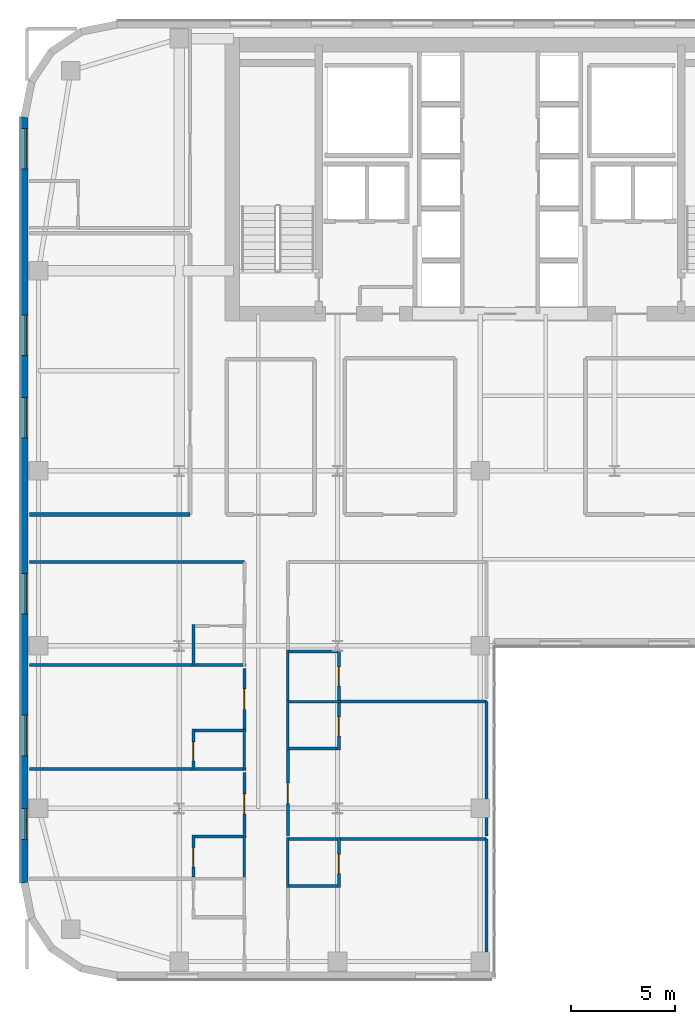
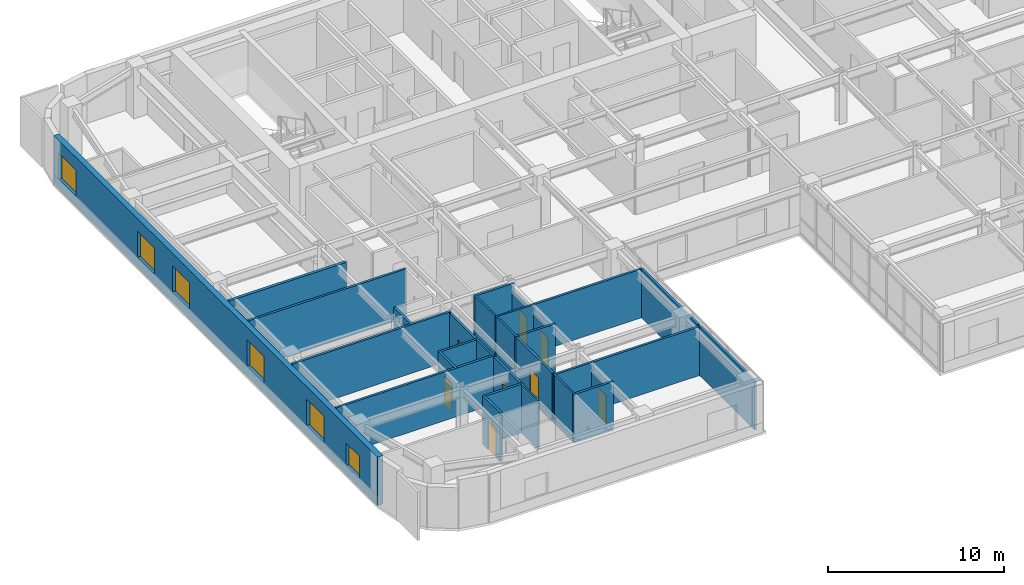
# One storey, part 14 of 25: 30 walls, 8 doors, 6 windows, 14 openings.
"""IFC4 building model written with IfcOpenShell, lengths in metres."""

from ifc_helpers import new_model, si_unit, direction, frame, frame_2d, origin, place, context, subcontext, project, spatial, rectangle, extrude, source, transform, mapped, material, layer, layer_set, type_object, type_shapes, element, fill, save


model = new_model("IFC4")

# Units and contexts
model_context = context("Model", 3, precision=1e-05, world=origin(), true_north=direction((0.0, 1.0)))
body_context = subcontext(model_context, "Body", "Model", "MODEL_VIEW")
ifc_project = project(units=[si_unit("LENGTHUNIT", "METRE"), si_unit("AREAUNIT", "SQUARE_METRE"), si_unit("VOLUMEUNIT", "CUBIC_METRE"), si_unit("PLANEANGLEUNIT", "RADIAN"), si_unit("MASSUNIT", "GRAM", prefix="KILO")], contexts=[model_context])

# Site, building, storey
site_placement = place(None, origin())
site = spatial("IfcSite", under=ifc_project, at=site_placement, CompositionType="ELEMENT")
building_placement = place(site_placement, origin())
building = spatial("IfcBuilding", under=site, at=building_placement, Name="Tolvann Quenvar Hotel", CompositionType="ELEMENT")
storey_placement = place(building_placement, frame((0.0, 0.0, 132.85009765625)))
storey = spatial("IfcBuildingStorey", under=building, at=storey_placement, Name="L34", CompositionType="ELEMENT", Elevation=132.85009765625)

# Wall, openings, windows
ifc_material_1 = material(Name="Kiln-fired red and buff architectural clay brickwork and terracotta masonry", Category="masonry")
ifc_layer_1 = layer(ifc_material_1, 0.35009765625)
ifc_layer_set_1 = layer_set([ifc_layer_1], Name="Kiln-fired red and buff architectural clay brickwork and terracotta masonry")
wall_type_1 = type_object("IfcWallType", Name="WALL_EXT_BRICK_350", PredefinedType="SOLIDWALL", material=ifc_layer_set_1)
wall_1_placement = place(storey_placement, frame((0.175048828125, 41.3828125, 0.0), z_axis=(0.0, 0.0, 1.0), x_axis=(0.0, -1.0, 0.0)))
wall_1 = element("IfcWall", 1, at=wall_1_placement, inside=storey, type_object=wall_type_1, Name="Exterior Chicago Brick Wall L34-E23", PredefinedType="SOLIDWALL", context=body_context, shape_type="SweptSolid", body=[
    extrude(rectangle(XDim=36.765625, YDim=0.35009765625, at=frame_2d((18.3828125, 0.0))), origin(), (0.0, 0.0, 1.0), 3.369873046875),
])
opening_1_placement = place(wall_1_placement, frame((0.551025390625, 0.0, 0.679931640625)))
opening_1 = element("IfcOpeningElement", 2, at=opening_1_placement, cuts=wall_1, Name="Opening W-10", PredefinedType="OPENING", context=body_context, shape_type="SweptSolid", body=[
    extrude(rectangle(XDim=1.949951171875, YDim=1.820068359375, at=frame_2d((0.97509765625, 0.91015625))), frame((0.0, 0.18505859375, 0.0), z_axis=(0.0, -1.0, 0.0), x_axis=(1.0, 0.0, 0.0)), (0.0, 0.0, 1.0), 0.3701171875),
])
opening_2_placement = place(wall_1_placement, frame((9.50390625, 0.0, 0.679931640625)))
opening_2 = element("IfcOpeningElement", 3, at=opening_2_placement, cuts=wall_1, Name="Opening W-10", PredefinedType="OPENING", context=body_context, shape_type="SweptSolid", body=[
    extrude(rectangle(XDim=1.949951171875, YDim=1.820068359375, at=frame_2d((0.97509765625, 0.91015625))), frame((0.0, 0.18505859375, 0.0), z_axis=(0.0, -1.0, 0.0), x_axis=(1.0, 0.0, 0.0)), (0.0, 0.0, 1.0), 0.3701171875),
])
opening_3_placement = place(wall_1_placement, frame((13.4560546875, 0.0, 0.679931640625)))
opening_3 = element("IfcOpeningElement", 4, at=opening_3_placement, cuts=wall_1, Name="Opening W-10", PredefinedType="OPENING", context=body_context, shape_type="SweptSolid", body=[
    extrude(rectangle(XDim=1.949951171875, YDim=1.820068359375, at=frame_2d((0.97509765625, 0.91015625))), frame((0.0, 0.18505859375, 0.0), z_axis=(0.0, -1.0, 0.0), x_axis=(1.0, 0.0, 0.0)), (0.0, 0.0, 1.0), 0.3701171875),
])
opening_4_placement = place(wall_1_placement, frame((21.909912109375, 0.0, 0.679931640625)))
opening_4 = element("IfcOpeningElement", 5, at=opening_4_placement, cuts=wall_1, Name="Opening W-10", PredefinedType="OPENING", context=body_context, shape_type="SweptSolid", body=[
    extrude(rectangle(XDim=1.949951171875, YDim=1.820068359375, at=frame_2d((0.97509765625, 0.91015625))), frame((0.0, 0.18505859375, 0.0), z_axis=(0.0, -1.0, 0.0), x_axis=(1.0, 0.0, 0.0)), (0.0, 0.0, 1.0), 0.3701171875),
])
opening_5_placement = place(wall_1_placement, frame((28.712890625, 0.0, 0.679931640625)))
opening_5 = element("IfcOpeningElement", 6, at=opening_5_placement, cuts=wall_1, Name="Opening W-10", PredefinedType="OPENING", context=body_context, shape_type="SweptSolid", body=[
    extrude(rectangle(XDim=1.949951171875, YDim=1.820068359375, at=frame_2d((0.97509765625, 0.91015625))), frame((0.0, 0.18505859375, 0.0), z_axis=(0.0, -1.0, 0.0), x_axis=(1.0, 0.0, 0.0)), (0.0, 0.0, 1.0), 0.3701171875),
])
opening_6_placement = place(wall_1_placement, frame((33.18310546875, 0.0, 0.6201171875)))
opening_6 = element("IfcOpeningElement", 7, at=opening_6_placement, cuts=wall_1, Name="Opening W-08", PredefinedType="OPENING", context=body_context, shape_type="SweptSolid", body=[
    extrude(rectangle(XDim=1.5, YDim=1.550048828125, at=frame_2d((0.75, 0.77490234375))), frame((0.0, 0.18505859375, 0.0), z_axis=(0.0, -1.0, 0.0), x_axis=(1.0, 0.0, 0.0)), (0.0, 0.0, 1.0), 0.3701171875),
])
ifc_material_2 = material(Name="Thermally broken bronze-anodised aluminium frame with double low-E glazing", Category="aluminium")
window_type_1 = type_object("IfcWindowType", Name="WIN_COR_1500x2050", PartitioningType="SINGLE_PANEL", PredefinedType="WINDOW", material=ifc_material_2)
shared_shape_1 = source(origin(), body_context, "Body", "SweptSolid", [
    extrude(rectangle(XDim=1.5, YDim=1.550048828125, at=frame_2d((0.75, 0.77490234375))), frame((0.0, 0.090087890625, 0.0), z_axis=(0.0, -1.0, 0.0), x_axis=(1.0, 0.0, 0.0)), (0.0, 0.0, 1.0), 0.06005859375),
])
type_shapes(window_type_1, [shared_shape_1])
window_1_placement = place(opening_6_placement, origin())
window_1 = element("IfcWindow", 8, at=window_1_placement, inside=storey, type_object=window_type_1, Name="Chicago Window W-08 (EW-L34-E23-WD06)", OverallHeight=1.550048828125, OverallWidth=1.5, PartitioningType="SINGLE_PANEL", PredefinedType="WINDOW", context=body_context, shape_type="MappedRepresentation", body=[
    mapped(shared_shape_1, transform((0.0, 0.0, 0.0), x_axis=(1.0, 0.0, 0.0), y_axis=(0.0, 1.0, 0.0), z_axis=(0.0, 0.0, 1.0), scale=1.0)),
])
fill(opening_6, window_1)
window_type_2 = type_object("IfcWindowType", Name="WIN_CLB_1950x1850", PartitioningType="DOUBLE_PANEL_VERTICAL", PredefinedType="WINDOW", material=ifc_material_2)
shared_shape_2 = source(origin(), body_context, "Body", "SweptSolid", [
    extrude(rectangle(XDim=1.949951171875, YDim=1.820068359375, at=frame_2d((0.97509765625, 0.91015625))), frame((0.0, 0.090087890625, 0.0), z_axis=(0.0, -1.0, 0.0), x_axis=(1.0, 0.0, 0.0)), (0.0, 0.0, 1.0), 0.06005859375),
])
type_shapes(window_type_2, [shared_shape_2])
window_2_placement = place(opening_1_placement, origin())
window_2 = element("IfcWindow", 9, at=window_2_placement, inside=storey, type_object=window_type_2, Name="Chicago Window W-10 (EW-L34-E23-W01)", OverallHeight=1.820068359375, OverallWidth=1.949951171875, PartitioningType="DOUBLE_PANEL_VERTICAL", PredefinedType="WINDOW", context=body_context, shape_type="MappedRepresentation", body=[
    mapped(shared_shape_2, transform((0.0, 0.0, 0.0), x_axis=(1.0, 0.0, 0.0), y_axis=(0.0, 1.0, 0.0), z_axis=(0.0, 0.0, 1.0), scale=1.0)),
])
fill(opening_1, window_2)
window_3_placement = place(opening_2_placement, origin())
window_3 = element("IfcWindow", 10, at=window_3_placement, inside=storey, type_object=window_type_2, Name="Chicago Window W-10 (EW-L34-E23-W02)", OverallHeight=1.820068359375, OverallWidth=1.949951171875, PartitioningType="DOUBLE_PANEL_VERTICAL", PredefinedType="WINDOW", context=body_context, shape_type="MappedRepresentation", body=[
    mapped(shared_shape_2, transform((0.0, 0.0, 0.0), x_axis=(1.0, 0.0, 0.0), y_axis=(0.0, 1.0, 0.0), z_axis=(0.0, 0.0, 1.0), scale=1.0)),
])
fill(opening_2, window_3)
window_4_placement = place(opening_3_placement, origin())
window_4 = element("IfcWindow", 11, at=window_4_placement, inside=storey, type_object=window_type_2, Name="Chicago Window W-10 (EW-L34-E23-W03)", OverallHeight=1.820068359375, OverallWidth=1.949951171875, PartitioningType="DOUBLE_PANEL_VERTICAL", PredefinedType="WINDOW", context=body_context, shape_type="MappedRepresentation", body=[
    mapped(shared_shape_2, transform((0.0, 0.0, 0.0), x_axis=(1.0, 0.0, 0.0), y_axis=(0.0, 1.0, 0.0), z_axis=(0.0, 0.0, 1.0), scale=1.0)),
])
fill(opening_3, window_4)
window_5_placement = place(opening_4_placement, origin())
window_5 = element("IfcWindow", 12, at=window_5_placement, inside=storey, type_object=window_type_2, Name="Chicago Window W-10 (EW-L34-E23-W04)", OverallHeight=1.820068359375, OverallWidth=1.949951171875, PartitioningType="DOUBLE_PANEL_VERTICAL", PredefinedType="WINDOW", context=body_context, shape_type="MappedRepresentation", body=[
    mapped(shared_shape_2, transform((0.0, 0.0, 0.0), x_axis=(1.0, 0.0, 0.0), y_axis=(0.0, 1.0, 0.0), z_axis=(0.0, 0.0, 1.0), scale=1.0)),
])
fill(opening_4, window_5)
window_6_placement = place(opening_5_placement, origin())
window_6 = element("IfcWindow", 13, at=window_6_placement, inside=storey, type_object=window_type_2, Name="Chicago Window W-10 (EW-L34-E23-W05)", OverallHeight=1.820068359375, OverallWidth=1.949951171875, PartitioningType="DOUBLE_PANEL_VERTICAL", PredefinedType="WINDOW", context=body_context, shape_type="MappedRepresentation", body=[
    mapped(shared_shape_2, transform((0.0, 0.0, 0.0), x_axis=(1.0, 0.0, 0.0), y_axis=(0.0, 1.0, 0.0), z_axis=(0.0, 0.0, 1.0), scale=1.0)),
])
fill(opening_5, window_6)

# Walls
ifc_material_3 = material(Name="Acoustic twin-stud fire-rated gypsum plasterboard partition")
ifc_layer_2 = layer(ifc_material_3, 0.179931640625)
ifc_layer_set_2 = layer_set([ifc_layer_2], Name="Acoustic twin-stud fire-rated gypsum plasterboard partition")
wall_type_2 = type_object("IfcWallType", Name="WALL_PART_ACOUSTIC_180", PredefinedType="PARTITIONING", material=ifc_layer_set_2)
wall_2_placement = place(storey_placement, frame((0.405029296875, 22.300048828125, 0.0), z_axis=(0.0, 0.0, 1.0), x_axis=(1.0, 0.0, 0.0)))
element("IfcWall", 14, at=wall_2_placement, inside=storey, type_object=wall_type_2, Name="Interior Partition PT-SPC-L34-SAL-S", PredefinedType="PARTITIONING", context=body_context, shape_type="SweptSolid", body=[
    extrude(rectangle(XDim=7.715087890625, YDim=0.179931640625, at=frame_2d((3.857421875, 0.0))), origin(), (0.0, 0.0, 1.0), 3.369873046875),
])
ifc_material_4 = material(Name="Moisture-resistant acoustic plumbing wall assembly")
ifc_layer_3 = layer(ifc_material_4, 0.1201171875)
ifc_layer_set_3 = layer_set([ifc_layer_3], Name="Moisture-resistant acoustic plumbing wall assembly")
wall_type_3 = type_object("IfcWallType", Name="WALL_PART_BATH_120", PredefinedType="PLUMBINGWALL", material=ifc_layer_set_3)
wall_3_placement = place(storey_placement, frame((10.72998046875, 4.909912109375, 0.0), z_axis=(0.0, 0.0, 1.0), x_axis=(0.0, 1.0, 0.0)))
element("IfcWall", 15, at=wall_3_placement, inside=storey, type_object=wall_type_3, Name="Non-Rated Plumbing Partition PT-SPC-L34-ENS-WO02-E", PredefinedType="PLUMBINGWALL", context=body_context, shape_type="SweptSolid", body=[
    extrude(rectangle(XDim=2.01708984375, YDim=0.1201171875, at=frame_2d((1.008544921875, 0.0))), origin(), (0.0, 0.0, 1.0), 3.369873046875),
])
wall_4_placement = place(storey_placement, frame((10.72998046875, 10.010009765625, 0.0), z_axis=(0.0, 0.0, 1.0), x_axis=(0.0, 1.0, 0.0)))
element("IfcWall", 16, at=wall_4_placement, inside=storey, type_object=wall_type_3, Name="Non-Rated Plumbing Partition PT-SPC-L34-ENS-WO03-E", PredefinedType="PLUMBINGWALL", context=body_context, shape_type="SweptSolid", body=[
    extrude(rectangle(XDim=1.989990234375, YDim=0.1201171875, at=frame_2d((0.9951171875, 0.0))), origin(), (0.0, 0.0, 1.0), 3.369873046875),
])
wall_5_placement = place(storey_placement, frame((12.820068359375, 4.39990234375, 0.0), z_axis=(0.0, 0.0, 1.0), x_axis=(0.0, 1.0, 0.0)))
element("IfcWall", 17, at=wall_5_placement, inside=storey, type_object=wall_type_3, Name="Non-Rated Plumbing Partition PT-SPC-L34-ENS-WI01-W", PredefinedType="PLUMBINGWALL", context=body_context, shape_type="SweptSolid", body=[
    extrude(rectangle(XDim=2.39013671875, YDim=0.1201171875, at=frame_2d((1.195068359375, 0.0))), origin(), (0.0, 0.0, 1.0), 3.369873046875),
])
wall_6_placement = place(storey_placement, frame((12.75, 13.320068359375, 0.0), z_axis=(0.0, 0.0, 1.0), x_axis=(1.0, 0.0, 0.0)))
element("IfcWall", 18, at=wall_6_placement, inside=storey, type_object=wall_type_3, Name="Non-Rated Plumbing Partition PT-SPC-L34-ENS-WI02-N", PredefinedType="PLUMBINGWALL", context=body_context, shape_type="SweptSolid", body=[
    extrude(rectangle(XDim=2.590087890625, YDim=0.1201171875, at=frame_2d((1.294921875, 0.0))), origin(), (0.0, 0.0, 1.0), 3.369873046875),
])
wall_7_placement = place(storey_placement, frame((12.820068359375, 11.0, 0.0), z_axis=(0.0, 0.0, 1.0), x_axis=(0.0, 1.0, 0.0)))
element("IfcWall", 19, at=wall_7_placement, inside=storey, type_object=wall_type_3, Name="Non-Rated Plumbing Partition PT-SPC-L34-ENS-WI02-W", PredefinedType="PLUMBINGWALL", context=body_context, shape_type="SweptSolid", body=[
    extrude(rectangle(XDim=2.389892578125, YDim=0.1201171875, at=frame_2d((1.19482421875, 0.0))), origin(), (0.0, 0.0, 1.0), 3.369873046875),
])
wall_8_placement = place(storey_placement, frame((12.820068359375, 13.409912109375, 0.0), z_axis=(0.0, 0.0, 1.0), x_axis=(0.0, 1.0, 0.0)))
element("IfcWall", 20, at=wall_8_placement, inside=storey, type_object=wall_type_3, Name="Non-Rated Plumbing Partition PT-SPC-L34-ENS-WI03-W", PredefinedType="PLUMBINGWALL", context=body_context, shape_type="SweptSolid", body=[
    extrude(rectangle(XDim=2.39013671875, YDim=0.1201171875, at=frame_2d((1.195068359375, 0.0))), origin(), (0.0, 0.0, 1.0), 3.369873046875),
])

# Wall, opening, door
ifc_layer_4 = layer(ifc_material_3, 0.14990234375)
ifc_layer_set_4 = layer_set([ifc_layer_4], Name="Acoustic twin-stud fire-rated gypsum plasterboard partition")
wall_type_4 = type_object("IfcWallType", Name="WALL_PART_SUITE_150", PredefinedType="PARTITIONING", material=ifc_layer_set_4)
wall_9_placement = place(storey_placement, frame((8.280029296875, 4.909912109375, 0.0), z_axis=(0.0, 0.0, 1.0), x_axis=(0.0, 1.0, 0.0)))
wall_9 = element("IfcWall", 21, at=wall_9_placement, inside=storey, type_object=wall_type_4, Name="Interior Partition PT-SPC-L34-ENS-WO02-ENT", PredefinedType="PARTITIONING", context=body_context, shape_type="SweptSolid", body=[
    extrude(rectangle(XDim=2.01708984375, YDim=0.14990234375, at=frame_2d((1.008544921875, 0.0))), origin(), (0.0, 0.0, 1.0), 3.369873046875),
])
opening_7_placement = place(wall_9_placement, frame((0.478515625, 0.0, 0.0)))
opening_7 = element("IfcOpeningElement", 22, at=opening_7_placement, cuts=wall_9, Name="Opening WD-01", PredefinedType="OPENING", context=body_context, shape_type="SweptSolid", body=[
    extrude(rectangle(XDim=0.919921875, YDim=2.010009765625, at=frame_2d((0.4599609375, 1.0048828125))), frame((0.0, 0.0849609375, 0.0), z_axis=(0.0, -1.0, 0.0), x_axis=(1.0, 0.0, 0.0)), (0.0, 0.0, 1.0), 0.169921875),
])
ifc_material_5 = material(Name="Solid-core American oak acoustic fire door leaf in steel frame", Category="steel")
door_type_1 = type_object("IfcDoorType", Name="DOOR_WC_920", OperationType="NOTDEFINED", PredefinedType="DOOR", material=ifc_material_5)
shared_shape_3 = source(origin(), body_context, "Body", "SweptSolid", [
    extrude(rectangle(XDim=0.919921875, YDim=2.010009765625, at=frame_2d((0.4599609375, 1.0048828125))), frame((0.0, 0.02490234375, 0.0), z_axis=(0.0, -1.0, 0.0), x_axis=(1.0, 0.0, 0.0)), (0.0, 0.0, 1.0), 0.050048828125),
])
type_shapes(door_type_1, [shared_shape_3])
door_1_placement = place(opening_7_placement, origin())
door_1 = element("IfcDoor", 23, at=door_1_placement, inside=storey, type_object=door_type_1, Name="Interior Door DOOR-SPC-L34-ENS-WO02", OperationType="SINGLE_SWING_RIGHT", OverallHeight=2.010009765625, OverallWidth=0.919921875, PredefinedType="DOOR", context=body_context, shape_type="MappedRepresentation", body=[
    mapped(shared_shape_3, transform((0.0, 0.0, 0.0), x_axis=(1.0, 0.0, 0.0), y_axis=(0.0, 1.0, 0.0), z_axis=(0.0, 0.0, 1.0), scale=1.0)),
])
fill(opening_7, door_1)

# Wall
wall_10_placement = place(storey_placement, frame((8.2099609375, 6.85693359375, 0.0), z_axis=(0.0, 0.0, 1.0), x_axis=(1.0, 0.0, 0.0)))
element("IfcWall", 24, at=wall_10_placement, inside=storey, type_object=wall_type_4, Name="Interior Partition PT-SPC-L34-ENS-WO02-N", PredefinedType="PARTITIONING", context=body_context, shape_type="SweptSolid", body=[
    extrude(rectangle(XDim=2.590087890625, YDim=0.14990234375, at=frame_2d((1.294921875, 0.0))), origin(), (0.0, 0.0, 1.0), 3.369873046875),
])

# Wall, opening, door
wall_11_placement = place(storey_placement, frame((8.280029296875, 10.010009765625, 0.0), z_axis=(0.0, 0.0, 1.0), x_axis=(0.0, 1.0, 0.0)))
wall_11 = element("IfcWall", 25, at=wall_11_placement, inside=storey, type_object=wall_type_4, Name="Interior Partition PT-SPC-L34-ENS-WO03-ENT", PredefinedType="PARTITIONING", context=body_context, shape_type="SweptSolid", body=[
    extrude(rectangle(XDim=1.989990234375, YDim=0.14990234375, at=frame_2d((0.9951171875, 0.0))), origin(), (0.0, 0.0, 1.0), 3.369873046875),
])
opening_8_placement = place(wall_11_placement, frame((0.465087890625, 0.0, 0.0)))
opening_8 = element("IfcOpeningElement", 26, at=opening_8_placement, cuts=wall_11, Name="Opening WD-01", PredefinedType="OPENING", context=body_context, shape_type="SweptSolid", body=[
    extrude(rectangle(XDim=0.919921875, YDim=2.010009765625, at=frame_2d((0.4599609375, 1.0048828125))), frame((0.0, 0.0849609375, 0.0), z_axis=(0.0, -1.0, 0.0), x_axis=(1.0, 0.0, 0.0)), (0.0, 0.0, 1.0), 0.169921875),
])
door_2_placement = place(opening_8_placement, origin())
door_2 = element("IfcDoor", 27, at=door_2_placement, inside=storey, type_object=door_type_1, Name="Interior Door DOOR-SPC-L34-ENS-WO03", OperationType="SINGLE_SWING_LEFT", OverallHeight=2.010009765625, OverallWidth=0.919921875, PredefinedType="DOOR", context=body_context, shape_type="MappedRepresentation", body=[
    mapped(shared_shape_3, transform((0.0, 0.0, 0.0), x_axis=(1.0, 0.0, 0.0), y_axis=(0.0, 1.0, 0.0), z_axis=(0.0, 0.0, 1.0), scale=1.0)),
])
fill(opening_8, door_2)

# Walls
wall_12_placement = place(storey_placement, frame((0.405029296875, 10.080078125, 0.0), z_axis=(0.0, 0.0, 1.0), x_axis=(1.0, 0.0, 0.0)))
element("IfcWall", 28, at=wall_12_placement, inside=storey, type_object=wall_type_4, Name="Interior Partition PT-SPC-L34-ENS-WO03-S", PredefinedType="PARTITIONING", context=body_context, shape_type="SweptSolid", body=[
    extrude(rectangle(XDim=10.39501953125, YDim=0.14990234375, at=frame_2d((5.197509765625, 0.0))), origin(), (0.0, 0.0, 1.0), 3.369873046875),
])
wall_13_placement = place(storey_placement, frame((8.2099609375, 11.929931640625, 0.0), z_axis=(0.0, 0.0, 1.0), x_axis=(1.0, 0.0, 0.0)))
element("IfcWall", 29, at=wall_13_placement, inside=storey, type_object=wall_type_4, Name="Interior Partition PT-SPC-L34-ENS-WO03-N", PredefinedType="PARTITIONING", context=body_context, shape_type="SweptSolid", body=[
    extrude(rectangle(XDim=2.590087890625, YDim=0.14990234375, at=frame_2d((1.294921875, 0.0))), origin(), (0.0, 0.0, 1.0), 3.369873046875),
])
wall_14_placement = place(storey_placement, frame((8.280029296875, 15.010009765625, 0.0), z_axis=(0.0, 0.0, 1.0), x_axis=(0.0, 1.0, 0.0)))
element("IfcWall", 30, at=wall_14_placement, inside=storey, type_object=wall_type_4, Name="Interior Partition PT-SPC-L34-ENS-WO04-ENT", PredefinedType="PARTITIONING", context=body_context, shape_type="SweptSolid", body=[
    extrude(rectangle(XDim=2.01708984375, YDim=0.14990234375, at=frame_2d((1.008544921875, 0.0))), origin(), (0.0, 0.0, 1.0), 3.369873046875),
])
wall_15_placement = place(storey_placement, frame((0.405029296875, 15.080078125, 0.0), z_axis=(0.0, 0.0, 1.0), x_axis=(1.0, 0.0, 0.0)))
element("IfcWall", 31, at=wall_15_placement, inside=storey, type_object=wall_type_4, Name="Interior Partition PT-SPC-L34-ENS-WO04-S", PredefinedType="PARTITIONING", context=body_context, shape_type="SweptSolid", body=[
    extrude(rectangle(XDim=10.39501953125, YDim=0.14990234375, at=frame_2d((5.197509765625, 0.0))), origin(), (0.0, 0.0, 1.0), 3.369873046875),
])

# Wall, opening, door
wall_16_placement = place(storey_placement, frame((15.27001953125, 4.39990234375, 0.0), z_axis=(0.0, 0.0, 1.0), x_axis=(0.0, 1.0, 0.0)))
wall_16 = element("IfcWall", 32, at=wall_16_placement, inside=storey, type_object=wall_type_4, Name="Interior Partition PT-SPC-L34-ENS-WI01-ENT", PredefinedType="PARTITIONING", context=body_context, shape_type="SweptSolid", body=[
    extrude(rectangle(XDim=2.39013671875, YDim=0.14990234375, at=frame_2d((1.195068359375, 0.0))), origin(), (0.0, 0.0, 1.0), 2.826904296875),
])
opening_9_placement = place(wall_16_placement, frame((0.6650390625, 0.0, 0.0)))
opening_9 = element("IfcOpeningElement", 33, at=opening_9_placement, cuts=wall_16, Name="Opening WD-01", PredefinedType="OPENING", context=body_context, shape_type="SweptSolid", body=[
    extrude(rectangle(XDim=0.919921875, YDim=2.010009765625, at=frame_2d((0.4599609375, 1.0048828125))), frame((0.0, 0.0849609375, 0.0), z_axis=(0.0, -1.0, 0.0), x_axis=(1.0, 0.0, 0.0)), (0.0, 0.0, 1.0), 0.169921875),
])
door_3_placement = place(opening_9_placement, origin())
door_3 = element("IfcDoor", 34, at=door_3_placement, inside=storey, type_object=door_type_1, Name="Interior Door DOOR-SPC-L34-ENS-WI01", OperationType="SINGLE_SWING_LEFT", OverallHeight=2.010009765625, OverallWidth=0.919921875, PredefinedType="DOOR", context=body_context, shape_type="MappedRepresentation", body=[
    mapped(shared_shape_3, transform((0.0, 0.0, 0.0), x_axis=(1.0, 0.0, 0.0), y_axis=(0.0, 1.0, 0.0), z_axis=(0.0, 0.0, 1.0), scale=1.0)),
])
fill(opening_9, door_3)

# Walls
for number, where, z_axis, x_axis, name in (
    (35, (12.75, 4.469970703125, 0.0), (0.0, 0.0, 1.0), (1.0, 0.0, 0.0), "Interior Partition PT-SPC-L34-ENS-WI01-S"),
    (36, (12.75, 6.719970703125, 0.0), (0.0, 0.0, 1.0), (1.0, 0.0, 0.0), "Interior Partition PT-SPC-L34-ENS-WI01-N"),
):
    element("IfcWall", number, at=place(storey_placement, frame(where, z_axis=z_axis, x_axis=x_axis)), inside=storey, type_object=wall_type_4, Name=name, PredefinedType="PARTITIONING", context=body_context, shape_type="SweptSolid", body=[
        extrude(rectangle(XDim=2.590087890625, YDim=0.14990234375, at=frame_2d((1.294921875, 0.0))), origin(), (0.0, 0.0, 1.0), 3.369873046875),
    ])

# Wall, opening, door
wall_17_placement = place(storey_placement, frame((15.27001953125, 11.0, 0.0), z_axis=(0.0, 0.0, 1.0), x_axis=(0.0, 1.0, 0.0)))
wall_17 = element("IfcWall", 37, at=wall_17_placement, inside=storey, type_object=wall_type_4, Name="Interior Partition PT-SPC-L34-ENS-WI02-ENT", PredefinedType="PARTITIONING", context=body_context, shape_type="SweptSolid", body=[
    extrude(rectangle(XDim=2.389892578125, YDim=0.14990234375, at=frame_2d((1.19482421875, 0.0))), origin(), (0.0, 0.0, 1.0), 2.826904296875),
])
opening_10_placement = place(wall_17_placement, frame((0.6650390625, 0.0, 0.0)))
opening_10 = element("IfcOpeningElement", 38, at=opening_10_placement, cuts=wall_17, Name="Opening WD-01", PredefinedType="OPENING", context=body_context, shape_type="SweptSolid", body=[
    extrude(rectangle(XDim=0.919921875, YDim=2.010009765625, at=frame_2d((0.4599609375, 1.0048828125))), frame((0.0, 0.0849609375, 0.0), z_axis=(0.0, -1.0, 0.0), x_axis=(1.0, 0.0, 0.0)), (0.0, 0.0, 1.0), 0.169921875),
])
door_4_placement = place(opening_10_placement, origin())
door_4 = element("IfcDoor", 39, at=door_4_placement, inside=storey, type_object=door_type_1, Name="Interior Door DOOR-SPC-L34-ENS-WI02", OperationType="SINGLE_SWING_RIGHT", OverallHeight=2.010009765625, OverallWidth=0.919921875, PredefinedType="DOOR", context=body_context, shape_type="MappedRepresentation", body=[
    mapped(shared_shape_3, transform((0.0, 0.0, 0.0), x_axis=(1.0, 0.0, 0.0), y_axis=(0.0, 1.0, 0.0), z_axis=(0.0, 0.0, 1.0), scale=1.0)),
])
fill(opening_10, door_4)

# Wall
wall_18_placement = place(storey_placement, frame((12.75, 11.070068359375, 0.0), z_axis=(0.0, 0.0, 1.0), x_axis=(1.0, 0.0, 0.0)))
element("IfcWall", 40, at=wall_18_placement, inside=storey, type_object=wall_type_4, Name="Interior Partition PT-SPC-L34-ENS-WI02-S", PredefinedType="PARTITIONING", context=body_context, shape_type="SweptSolid", body=[
    extrude(rectangle(XDim=2.590087890625, YDim=0.14990234375, at=frame_2d((1.294921875, 0.0))), origin(), (0.0, 0.0, 1.0), 3.369873046875),
])

# Wall, opening, door
wall_19_placement = place(storey_placement, frame((15.27001953125, 13.409912109375, 0.0), z_axis=(0.0, 0.0, 1.0), x_axis=(0.0, 1.0, 0.0)))
wall_19 = element("IfcWall", 41, at=wall_19_placement, inside=storey, type_object=wall_type_4, Name="Interior Partition PT-SPC-L34-ENS-WI03-ENT", PredefinedType="PARTITIONING", context=body_context, shape_type="SweptSolid", body=[
    extrude(rectangle(XDim=2.39013671875, YDim=0.14990234375, at=frame_2d((1.195068359375, 0.0))), origin(), (0.0, 0.0, 1.0), 2.826904296875),
])
opening_11_placement = place(wall_19_placement, frame((0.6650390625, 0.0, 0.0)))
opening_11 = element("IfcOpeningElement", 42, at=opening_11_placement, cuts=wall_19, Name="Opening WD-01", PredefinedType="OPENING", context=body_context, shape_type="SweptSolid", body=[
    extrude(rectangle(XDim=0.919921875, YDim=2.010009765625, at=frame_2d((0.4599609375, 1.0048828125))), frame((0.0, 0.0849609375, 0.0), z_axis=(0.0, -1.0, 0.0), x_axis=(1.0, 0.0, 0.0)), (0.0, 0.0, 1.0), 0.169921875),
])
door_5_placement = place(opening_11_placement, origin())
door_5 = element("IfcDoor", 43, at=door_5_placement, inside=storey, type_object=door_type_1, Name="Interior Door DOOR-SPC-L34-ENS-WI03", OperationType="SINGLE_SWING_LEFT", OverallHeight=2.010009765625, OverallWidth=0.919921875, PredefinedType="DOOR", context=body_context, shape_type="MappedRepresentation", body=[
    mapped(shared_shape_3, transform((0.0, 0.0, 0.0), x_axis=(1.0, 0.0, 0.0), y_axis=(0.0, 1.0, 0.0), z_axis=(0.0, 0.0, 1.0), scale=1.0)),
])
fill(opening_11, door_5)

# Wall
wall_20_placement = place(storey_placement, frame((12.75, 15.72998046875, 0.0), z_axis=(0.0, 0.0, 1.0), x_axis=(1.0, 0.0, 0.0)))
element("IfcWall", 44, at=wall_20_placement, inside=storey, type_object=wall_type_4, Name="Interior Partition PT-SPC-L34-ENS-WI03-N", PredefinedType="PARTITIONING", context=body_context, shape_type="SweptSolid", body=[
    extrude(rectangle(XDim=2.590087890625, YDim=0.14990234375, at=frame_2d((1.294921875, 0.0))), origin(), (0.0, 0.0, 1.0), 3.369873046875),
])

# Wall, opening, door
wall_21_placement = place(storey_placement, frame((10.72998046875, 6.93701171875, 0.0), z_axis=(0.0, 0.0, 1.0), x_axis=(0.0, 1.0, 0.0)))
wall_21 = element("IfcWall", 45, at=wall_21_placement, inside=storey, type_object=wall_type_4, Name="Interior Partition PT-SPC-L34-RM-WO02-ENT", PredefinedType="PARTITIONING", context=body_context, shape_type="SweptSolid", body=[
    extrude(rectangle(XDim=2.98291015625, YDim=0.14990234375, at=frame_2d((1.491455078125, 0.0))), origin(), (0.0, 0.0, 1.0), 3.369873046875),
])
opening_12_placement = place(wall_21_placement, frame((0.9814453125, 0.0, 0.0)))
opening_12 = element("IfcOpeningElement", 46, at=opening_12_placement, cuts=wall_21, Name="Opening SD-01", PredefinedType="OPENING", context=body_context, shape_type="SweptSolid", body=[
    extrude(rectangle(XDim=0.97998046875, YDim=2.1201171875, at=frame_2d((0.489990234375, 1.06005859375))), frame((0.0, 0.0849609375, 0.0), z_axis=(0.0, -1.0, 0.0), x_axis=(1.0, 0.0, 0.0)), (0.0, 0.0, 1.0), 0.169921875),
])
door_type_2 = type_object("IfcDoorType", Name="DOOR_SUITE_980", OperationType="NOTDEFINED", PredefinedType="DOOR", material=ifc_material_5)
shared_shape_4 = source(origin(), body_context, "Body", "SweptSolid", [
    extrude(rectangle(XDim=0.97998046875, YDim=2.1201171875, at=frame_2d((0.489990234375, 1.06005859375))), frame((0.0, 0.02490234375, 0.0), z_axis=(0.0, -1.0, 0.0), x_axis=(1.0, 0.0, 0.0)), (0.0, 0.0, 1.0), 0.050048828125),
])
type_shapes(door_type_2, [shared_shape_4])
door_6_placement = place(opening_12_placement, origin())
door_6 = element("IfcDoor", 47, at=door_6_placement, inside=storey, type_object=door_type_2, Name="Interior Door DOOR-SPC-L34-RM-WO02", OperationType="SINGLE_SWING_RIGHT", OverallHeight=2.1201171875, OverallWidth=0.97998046875, PredefinedType="DOOR", context=body_context, shape_type="MappedRepresentation", body=[
    mapped(shared_shape_4, transform((0.0, 0.0, 0.0), x_axis=(1.0, 0.0, 0.0), y_axis=(0.0, 1.0, 0.0), z_axis=(0.0, 0.0, 1.0), scale=1.0)),
])
fill(opening_12, door_6)

wall_22_placement = place(storey_placement, frame((10.72998046875, 12.010009765625, 0.0), z_axis=(0.0, 0.0, 1.0), x_axis=(0.0, 1.0, 0.0)))
wall_22 = element("IfcWall", 48, at=wall_22_placement, inside=storey, type_object=wall_type_4, Name="Interior Partition PT-SPC-L34-RM-WO03-ENT", PredefinedType="PARTITIONING", context=body_context, shape_type="SweptSolid", body=[
    extrude(rectangle(XDim=2.909912109375, YDim=0.14990234375, at=frame_2d((1.455078125, 0.0))), origin(), (0.0, 0.0, 1.0), 3.369873046875),
])
opening_13_placement = place(wall_22_placement, frame((0.945068359375, 0.0, 0.0)))
opening_13 = element("IfcOpeningElement", 49, at=opening_13_placement, cuts=wall_22, Name="Opening SD-01", PredefinedType="OPENING", context=body_context, shape_type="SweptSolid", body=[
    extrude(rectangle(XDim=0.97998046875, YDim=2.1201171875, at=frame_2d((0.489990234375, 1.06005859375))), frame((0.0, 0.0849609375, 0.0), z_axis=(0.0, -1.0, 0.0), x_axis=(1.0, 0.0, 0.0)), (0.0, 0.0, 1.0), 0.169921875),
])
door_7_placement = place(opening_13_placement, origin())
door_7 = element("IfcDoor", 50, at=door_7_placement, inside=storey, type_object=door_type_2, Name="Interior Door DOOR-SPC-L34-RM-WO03", OperationType="SINGLE_SWING_LEFT", OverallHeight=2.1201171875, OverallWidth=0.97998046875, PredefinedType="DOOR", context=body_context, shape_type="MappedRepresentation", body=[
    mapped(shared_shape_4, transform((0.0, 0.0, 0.0), x_axis=(1.0, 0.0, 0.0), y_axis=(0.0, 1.0, 0.0), z_axis=(0.0, 0.0, 1.0), scale=1.0)),
])
fill(opening_13, door_7)

# Walls
wall_23_placement = place(storey_placement, frame((0.405029296875, 20.02001953125, 0.0), z_axis=(0.0, 0.0, 1.0), x_axis=(1.0, 0.0, 0.0)))
element("IfcWall", 51, at=wall_23_placement, inside=storey, type_object=wall_type_4, Name="Interior Partition PT-SPC-L34-RM-WO04-E5", PredefinedType="PARTITIONING", context=body_context, shape_type="SweptSolid", body=[
    extrude(rectangle(XDim=10.324951171875, YDim=0.14990234375, at=frame_2d((5.16259765625, 0.0))), origin(), (0.0, 0.0, 1.0), 3.369873046875),
])
wall_24_placement = place(storey_placement, frame((22.35009765625, 0.405029296875, 0.0), z_axis=(0.0, 0.0, 1.0), x_axis=(0.0, 1.0, 0.0)))
element("IfcWall", 52, at=wall_24_placement, inside=storey, type_object=wall_type_4, Name="Interior Partition PT-SPC-L34-RM-WI01-E2", PredefinedType="PARTITIONING", context=body_context, shape_type="SweptSolid", body=[
    extrude(rectangle(XDim=6.31494140625, YDim=0.14990234375, at=frame_2d((3.157470703125, 0.0))), origin(), (0.0, 0.0, 1.0), 3.369873046875),
])
wall_25_placement = place(storey_placement, frame((15.2900390625, 6.719970703125, 0.0), z_axis=(0.0, 0.0, 1.0), x_axis=(1.0, 0.0, 0.0)))
element("IfcWall", 53, at=wall_25_placement, inside=storey, type_object=wall_type_4, Name="Interior Partition PT-SPC-L34-RM-WI01-E3", PredefinedType="PARTITIONING", context=body_context, shape_type="SweptSolid", body=[
    extrude(rectangle(XDim=7.06005859375, YDim=0.14990234375, at=frame_2d((3.530029296875, 0.0))), origin(), (0.0, 0.0, 1.0), 3.369873046875),
])

# Wall, opening, door
wall_26_placement = place(storey_placement, frame((12.820068359375, 6.8798828125, 0.0), z_axis=(0.0, 0.0, 1.0), x_axis=(0.0, 1.0, 0.0)))
wall_26 = element("IfcWall", 54, at=wall_26_placement, inside=storey, type_object=wall_type_4, Name="Interior Partition PT-SPC-L34-RM-WI02-ENT", PredefinedType="PARTITIONING", context=body_context, shape_type="SweptSolid", body=[
    extrude(rectangle(XDim=4.110107421875, YDim=0.14990234375, at=frame_2d((2.05517578125, 0.0))), origin(), (0.0, 0.0, 1.0), 3.369873046875),
])
opening_14_placement = place(wall_26_placement, frame((1.544921875, 0.0, 0.0)))
opening_14 = element("IfcOpeningElement", 55, at=opening_14_placement, cuts=wall_26, Name="Opening SD-01", PredefinedType="OPENING", context=body_context, shape_type="SweptSolid", body=[
    extrude(rectangle(XDim=0.97998046875, YDim=2.1201171875, at=frame_2d((0.489990234375, 1.06005859375))), frame((0.0, 0.0849609375, 0.0), z_axis=(0.0, -1.0, 0.0), x_axis=(1.0, 0.0, 0.0)), (0.0, 0.0, 1.0), 0.169921875),
])
door_8_placement = place(opening_14_placement, origin())
door_8 = element("IfcDoor", 56, at=door_8_placement, inside=storey, type_object=door_type_2, Name="Interior Door DOOR-SPC-L34-RM-WI02", OperationType="SINGLE_SWING_RIGHT", OverallHeight=2.1201171875, OverallWidth=0.97998046875, PredefinedType="DOOR", context=body_context, shape_type="MappedRepresentation", body=[
    mapped(shared_shape_4, transform((0.0, 0.0, 0.0), x_axis=(1.0, 0.0, 0.0), y_axis=(0.0, 1.0, 0.0), z_axis=(0.0, 0.0, 1.0), scale=1.0)),
])
fill(opening_14, door_8)

# Walls
wall_27_placement = place(storey_placement, frame((22.35009765625, 6.8798828125, 0.0), z_axis=(0.0, 0.0, 1.0), x_axis=(0.0, 1.0, 0.0)))
element("IfcWall", 57, at=wall_27_placement, inside=storey, type_object=wall_type_4, Name="Interior Partition PT-SPC-L34-RM-WI02-E2", PredefinedType="PARTITIONING", context=body_context, shape_type="SweptSolid", body=[
    extrude(rectangle(XDim=6.440185546875, YDim=0.14990234375, at=frame_2d((3.22021484375, 0.0))), origin(), (0.0, 0.0, 1.0), 3.369873046875),
])
wall_28_placement = place(storey_placement, frame((15.2900390625, 13.320068359375, 0.0), z_axis=(0.0, 0.0, 1.0), x_axis=(1.0, 0.0, 0.0)))
element("IfcWall", 58, at=wall_28_placement, inside=storey, type_object=wall_type_4, Name="Interior Partition PT-SPC-L34-RM-WI02-E3", PredefinedType="PARTITIONING", context=body_context, shape_type="SweptSolid", body=[
    extrude(rectangle(XDim=7.06005859375, YDim=0.14990234375, at=frame_2d((3.530029296875, 0.0))), origin(), (0.0, 0.0, 1.0), 3.369873046875),
])

save(model, "model.ifc")
